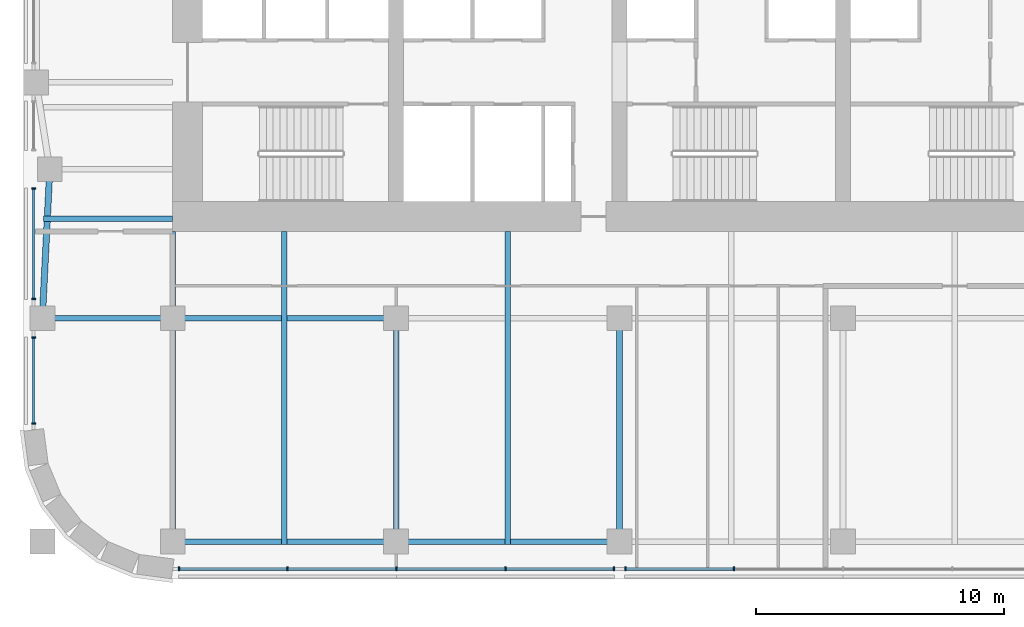
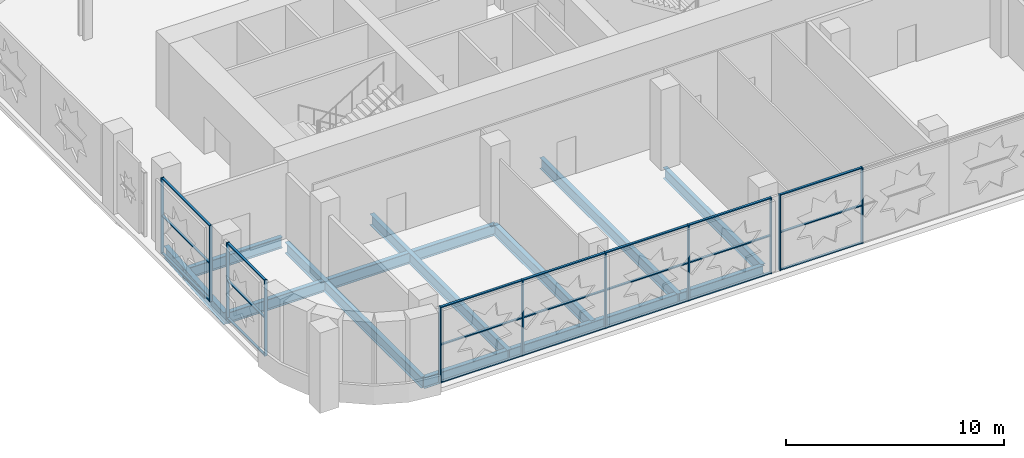
# One storey, part 2 of 21: 32 members, 9 beams, 4 elements without a shape of their own.
"""IFC4 building model written with IfcOpenShell, lengths in metres."""

from ifc_helpers import new_model, si_unit, direction, frame, origin, origin_2d, place, context, subcontext, project, spatial, rectangle, i_section, extrude, material, material_profile, profile_set, type_object, element, aggregate, save


model = new_model("IFC4")

# Units and contexts
model_context = context("Model", 3, precision=1e-05, world=origin(), true_north=direction((0.0, 1.0)))
body_context = subcontext(model_context, "Body", "Model", "MODEL_VIEW")
ifc_project = project(units=[si_unit("LENGTHUNIT", "METRE"), si_unit("AREAUNIT", "SQUARE_METRE"), si_unit("VOLUMEUNIT", "CUBIC_METRE"), si_unit("PLANEANGLEUNIT", "RADIAN"), si_unit("MASSUNIT", "GRAM", prefix="KILO")], contexts=[model_context])

# Site, building, storey
site_placement = place(None, origin())
site = spatial("IfcSite", under=ifc_project, at=site_placement, CompositionType="ELEMENT")
building_placement = place(site_placement, origin())
building = spatial("IfcBuilding", under=site, at=building_placement, Name="Zellij Exchange Tower", CompositionType="ELEMENT")
storey_placement = place(building_placement, frame((0.0, 0.0, 43.5)))
storey = spatial("IfcBuildingStorey", under=building, at=storey_placement, Name="L07", CompositionType="ELEMENT", Elevation=43.5)

# Curtain wall, members
ifc_material_1 = material(Name="Aluminium frame, clear insulating glass", Category="aluminium")
curtain_wall_type = type_object("IfcCurtainWallType", Name="ENV-CW1 Sky-garden glazing", PredefinedType="NOTDEFINED", material=ifc_material_1)
curtain_wall_1_placement = place(storey_placement, origin())
curtain_wall_1 = element("IfcCurtainWall", 1, at=curtain_wall_1_placement, inside=storey, type_object=curtain_wall_type, Name="cw.L07.00a", PredefinedType="NOTDEFINED")
ifc_material_2 = material(Name="Aluminium", Category="aluminium")
ifc_material_profile_1 = material_profile(ifc_material_2, rectangle(XDim=0.06005859375, YDim=0.159912109375, at=origin_2d()), Name="AL 60x160")
ifc_profile_set_1 = profile_set([ifc_material_profile_1], Name="Aluminium")
member_type_1 = type_object("IfcMemberType", Name="ENV-CW1M Mullion 60x160", PredefinedType="MULLION", material=ifc_profile_set_1)
member_1_placement = place(storey_placement, frame((-26.743896484375, -27.60009765625, 0.0), z_axis=(0.0, 0.0, 1.0), x_axis=(1.0, 0.0, 0.0)))
member_1 = element("IfcMember", 2, at=member_1_placement, type_object=member_type_1, Name="CW1 mullion 1", PredefinedType="MULLION", context=body_context, shape_type="SweptSolid", body=[
    extrude(rectangle(XDim=0.06005859375, YDim=0.159912109375, at=origin_2d()), origin(), (0.0, 0.0, 1.0), 4.25),
])
member_2_placement = place(storey_placement, frame((-22.38037109375, -27.60009765625, 0.0), z_axis=(0.0, 0.0, 1.0), x_axis=(1.0, 0.0, 0.0)))
member_2 = element("IfcMember", 3, at=member_2_placement, type_object=member_type_1, Name="CW1 mullion 2", PredefinedType="MULLION", context=body_context, shape_type="SweptSolid", body=[
    extrude(rectangle(XDim=0.06005859375, YDim=0.159912109375, at=origin_2d()), origin(), (0.0, 0.0, 1.0), 4.25),
])
member_3_placement = place(storey_placement, frame((-17.98681640625, -27.60009765625, 0.0), z_axis=(0.0, 0.0, 1.0), x_axis=(1.0, 0.0, 0.0)))
member_3 = element("IfcMember", 4, at=member_3_placement, type_object=member_type_1, Name="CW1 mullion 3", PredefinedType="MULLION", context=body_context, shape_type="SweptSolid", body=[
    extrude(rectangle(XDim=0.06005859375, YDim=0.159912109375, at=origin_2d()), origin(), (0.0, 0.0, 1.0), 4.25),
])
member_4_placement = place(storey_placement, frame((-13.593505859375, -27.60009765625, 0.0), z_axis=(0.0, 0.0, 1.0), x_axis=(1.0, 0.0, 0.0)))
member_4 = element("IfcMember", 5, at=member_4_placement, type_object=member_type_1, Name="CW1 mullion 4", PredefinedType="MULLION", context=body_context, shape_type="SweptSolid", body=[
    extrude(rectangle(XDim=0.06005859375, YDim=0.159912109375, at=origin_2d()), origin(), (0.0, 0.0, 1.0), 4.25),
])
member_5_placement = place(storey_placement, frame((-9.22998046875, -27.60009765625, 0.0), z_axis=(0.0, 0.0, 1.0), x_axis=(1.0, 0.0, 0.0)))
member_5 = element("IfcMember", 6, at=member_5_placement, type_object=member_type_1, Name="CW1 mullion 5", PredefinedType="MULLION", context=body_context, shape_type="SweptSolid", body=[
    extrude(rectangle(XDim=0.06005859375, YDim=0.159912109375, at=origin_2d()), origin(), (0.0, 0.0, 1.0), 4.25),
])

curtain_wall_2_placement = place(storey_placement, origin())
curtain_wall_2 = element("IfcCurtainWall", 7, at=curtain_wall_2_placement, inside=storey, type_object=curtain_wall_type, Name="cw.L07.00b", PredefinedType="NOTDEFINED")
member_6_placement = place(storey_placement, frame((-8.77001953125, -27.60009765625, 0.0), z_axis=(0.0, 0.0, 1.0), x_axis=(1.0, 0.0, 0.0)))
member_6 = element("IfcMember", 8, at=member_6_placement, type_object=member_type_1, Name="CW1 mullion 1", PredefinedType="MULLION", context=body_context, shape_type="SweptSolid", body=[
    extrude(rectangle(XDim=0.06005859375, YDim=0.159912109375, at=origin_2d()), origin(), (0.0, 0.0, 1.0), 4.25),
])
member_7_placement = place(storey_placement, frame((-4.39990234375, -27.60009765625, 0.0), z_axis=(0.0, 0.0, 1.0), x_axis=(1.0, 0.0, 0.0)))
member_7 = element("IfcMember", 9, at=member_7_placement, type_object=member_type_1, Name="CW1 mullion 2", PredefinedType="MULLION", context=body_context, shape_type="SweptSolid", body=[
    extrude(rectangle(XDim=0.06005859375, YDim=0.159912109375, at=origin_2d()), origin(), (0.0, 0.0, 1.0), 4.25),
])

curtain_wall_3_placement = place(storey_placement, origin())
curtain_wall_3 = element("IfcCurtainWall", 10, at=curtain_wall_3_placement, inside=storey, type_object=curtain_wall_type, Name="cw.L07.21c", PredefinedType="NOTDEFINED")
member_8_placement = place(storey_placement, frame((-32.60009765625, -12.280029296875, 0.0), z_axis=(0.0, 0.0, 1.0), x_axis=(0.0, -1.0, 0.0)))
member_8 = element("IfcMember", 11, at=member_8_placement, type_object=member_type_1, Name="CW1 mullion 1", PredefinedType="MULLION", context=body_context, shape_type="SweptSolid", body=[
    extrude(rectangle(XDim=0.06005859375, YDim=0.159912109375, at=origin_2d()), origin(), (0.0, 0.0, 1.0), 4.25),
])
member_9_placement = place(storey_placement, frame((-32.60009765625, -16.719970703125, 0.0), z_axis=(0.0, 0.0, 1.0), x_axis=(0.0, -1.0, 0.0)))
member_9 = element("IfcMember", 12, at=member_9_placement, type_object=member_type_1, Name="CW1 mullion 2", PredefinedType="MULLION", context=body_context, shape_type="SweptSolid", body=[
    extrude(rectangle(XDim=0.06005859375, YDim=0.159912109375, at=origin_2d()), origin(), (0.0, 0.0, 1.0), 4.25),
])

curtain_wall_4_placement = place(storey_placement, origin())
curtain_wall_4 = element("IfcCurtainWall", 13, at=curtain_wall_4_placement, inside=storey, type_object=curtain_wall_type, Name="cw.L07.21d", PredefinedType="NOTDEFINED")
member_10_placement = place(storey_placement, frame((-32.60009765625, -18.280029296875, 0.0), z_axis=(0.0, 0.0, 1.0), x_axis=(0.0, -1.0, 0.0)))
member_10 = element("IfcMember", 14, at=member_10_placement, type_object=member_type_1, Name="CW1 mullion 1", PredefinedType="MULLION", context=body_context, shape_type="SweptSolid", body=[
    extrude(rectangle(XDim=0.06005859375, YDim=0.159912109375, at=origin_2d()), origin(), (0.0, 0.0, 1.0), 4.25),
])
member_11_placement = place(storey_placement, frame((-32.60009765625, -21.743896484375, 0.0), z_axis=(0.0, 0.0, 1.0), x_axis=(0.0, -1.0, 0.0)))
member_11 = element("IfcMember", 15, at=member_11_placement, type_object=member_type_1, Name="CW1 mullion 2", PredefinedType="MULLION", context=body_context, shape_type="SweptSolid", body=[
    extrude(rectangle(XDim=0.06005859375, YDim=0.159912109375, at=origin_2d()), origin(), (0.0, 0.0, 1.0), 4.25),
])

# Member
ifc_material_profile_2 = material_profile(ifc_material_2, rectangle(XDim=0.1201171875, YDim=0.06005859375, at=origin_2d()), Name="AL 120x60")
ifc_profile_set_2 = profile_set([ifc_material_profile_2], Name="Aluminium")
member_type_2 = type_object("IfcMemberType", Name="ENV-CW1T Transom 120x60", PredefinedType="USERDEFINED", material=ifc_profile_set_2)
member_12_placement = place(storey_placement, frame((-26.7138671875, -27.60009765625, 0.030029296875), z_axis=(1.0, 0.0, 0.0), x_axis=(0.0, 1.0, 0.0)))
member_12 = element("IfcMember", 16, at=member_12_placement, type_object=member_type_2, Name="CW1 transom 1.1", ObjectType="TRANSOM", PredefinedType="USERDEFINED", context=body_context, shape_type="SweptSolid", body=[
    extrude(rectangle(XDim=0.1201171875, YDim=0.06005859375, at=origin_2d()), origin(), (0.0, 0.0, 1.0), 4.303466796875),
])

member_13_placement = place(storey_placement, frame((-26.7138671875, -27.60009765625, 2.125), z_axis=(1.0, 0.0, 0.0), x_axis=(0.0, 1.0, 0.0)))
member_13 = element("IfcMember", 17, at=member_13_placement, type_object=member_type_2, Name="CW1 transom 1.2", ObjectType="TRANSOM", PredefinedType="USERDEFINED", context=body_context, shape_type="SweptSolid", body=[
    extrude(rectangle(XDim=0.1201171875, YDim=0.06005859375, at=origin_2d()), origin(), (0.0, 0.0, 1.0), 4.303466796875),
])

member_14_placement = place(storey_placement, frame((-26.7138671875, -27.60009765625, 4.219970703125), z_axis=(1.0, 0.0, 0.0), x_axis=(0.0, 1.0, 0.0)))
member_14 = element("IfcMember", 18, at=member_14_placement, type_object=member_type_2, Name="CW1 transom 1.3", ObjectType="TRANSOM", PredefinedType="USERDEFINED", context=body_context, shape_type="SweptSolid", body=[
    extrude(rectangle(XDim=0.1201171875, YDim=0.06005859375, at=origin_2d()), origin(), (0.0, 0.0, 1.0), 4.303466796875),
])

member_15_placement = place(storey_placement, frame((-22.350341796875, -27.60009765625, 0.030029296875), z_axis=(1.0, 0.0, 0.0), x_axis=(0.0, 1.0, 0.0)))
member_15 = element("IfcMember", 19, at=member_15_placement, type_object=member_type_2, Name="CW1 transom 2.1", ObjectType="TRANSOM", PredefinedType="USERDEFINED", context=body_context, shape_type="SweptSolid", body=[
    extrude(rectangle(XDim=0.1201171875, YDim=0.06005859375, at=origin_2d()), origin(), (0.0, 0.0, 1.0), 4.33349609375),
])

member_16_placement = place(storey_placement, frame((-22.350341796875, -27.60009765625, 2.125), z_axis=(1.0, 0.0, 0.0), x_axis=(0.0, 1.0, 0.0)))
member_16 = element("IfcMember", 20, at=member_16_placement, type_object=member_type_2, Name="CW1 transom 2.2", ObjectType="TRANSOM", PredefinedType="USERDEFINED", context=body_context, shape_type="SweptSolid", body=[
    extrude(rectangle(XDim=0.1201171875, YDim=0.06005859375, at=origin_2d()), origin(), (0.0, 0.0, 1.0), 4.33349609375),
])

member_17_placement = place(storey_placement, frame((-22.350341796875, -27.60009765625, 4.219970703125), z_axis=(1.0, 0.0, 0.0), x_axis=(0.0, 1.0, 0.0)))
member_17 = element("IfcMember", 21, at=member_17_placement, type_object=member_type_2, Name="CW1 transom 2.3", ObjectType="TRANSOM", PredefinedType="USERDEFINED", context=body_context, shape_type="SweptSolid", body=[
    extrude(rectangle(XDim=0.1201171875, YDim=0.06005859375, at=origin_2d()), origin(), (0.0, 0.0, 1.0), 4.33349609375),
])

member_18_placement = place(storey_placement, frame((-17.956787109375, -27.60009765625, 0.030029296875), z_axis=(1.0, 0.0, 0.0), x_axis=(0.0, 1.0, 0.0)))
member_18 = element("IfcMember", 22, at=member_18_placement, type_object=member_type_2, Name="CW1 transom 3.1", ObjectType="TRANSOM", PredefinedType="USERDEFINED", context=body_context, shape_type="SweptSolid", body=[
    extrude(rectangle(XDim=0.1201171875, YDim=0.06005859375, at=origin_2d()), origin(), (0.0, 0.0, 1.0), 4.333251953125),
])

member_19_placement = place(storey_placement, frame((-17.956787109375, -27.60009765625, 2.125), z_axis=(1.0, 0.0, 0.0), x_axis=(0.0, 1.0, 0.0)))
member_19 = element("IfcMember", 23, at=member_19_placement, type_object=member_type_2, Name="CW1 transom 3.2", ObjectType="TRANSOM", PredefinedType="USERDEFINED", context=body_context, shape_type="SweptSolid", body=[
    extrude(rectangle(XDim=0.1201171875, YDim=0.06005859375, at=origin_2d()), origin(), (0.0, 0.0, 1.0), 4.333251953125),
])

member_20_placement = place(storey_placement, frame((-17.956787109375, -27.60009765625, 4.219970703125), z_axis=(1.0, 0.0, 0.0), x_axis=(0.0, 1.0, 0.0)))
member_20 = element("IfcMember", 24, at=member_20_placement, type_object=member_type_2, Name="CW1 transom 3.3", ObjectType="TRANSOM", PredefinedType="USERDEFINED", context=body_context, shape_type="SweptSolid", body=[
    extrude(rectangle(XDim=0.1201171875, YDim=0.06005859375, at=origin_2d()), origin(), (0.0, 0.0, 1.0), 4.333251953125),
])

member_21_placement = place(storey_placement, frame((-13.5634765625, -27.60009765625, 0.030029296875), z_axis=(1.0, 0.0, 0.0), x_axis=(0.0, 1.0, 0.0)))
member_21 = element("IfcMember", 25, at=member_21_placement, type_object=member_type_2, Name="CW1 transom 4.1", ObjectType="TRANSOM", PredefinedType="USERDEFINED", context=body_context, shape_type="SweptSolid", body=[
    extrude(rectangle(XDim=0.1201171875, YDim=0.06005859375, at=origin_2d()), origin(), (0.0, 0.0, 1.0), 4.303466796875),
])

member_22_placement = place(storey_placement, frame((-13.5634765625, -27.60009765625, 2.125), z_axis=(1.0, 0.0, 0.0), x_axis=(0.0, 1.0, 0.0)))
member_22 = element("IfcMember", 26, at=member_22_placement, type_object=member_type_2, Name="CW1 transom 4.2", ObjectType="TRANSOM", PredefinedType="USERDEFINED", context=body_context, shape_type="SweptSolid", body=[
    extrude(rectangle(XDim=0.1201171875, YDim=0.06005859375, at=origin_2d()), origin(), (0.0, 0.0, 1.0), 4.303466796875),
])

member_23_placement = place(storey_placement, frame((-13.5634765625, -27.60009765625, 4.219970703125), z_axis=(1.0, 0.0, 0.0), x_axis=(0.0, 1.0, 0.0)))
member_23 = element("IfcMember", 27, at=member_23_placement, type_object=member_type_2, Name="CW1 transom 4.3", ObjectType="TRANSOM", PredefinedType="USERDEFINED", context=body_context, shape_type="SweptSolid", body=[
    extrude(rectangle(XDim=0.1201171875, YDim=0.06005859375, at=origin_2d()), origin(), (0.0, 0.0, 1.0), 4.303466796875),
])

aggregate(curtain_wall_1, [member_1, member_2, member_3, member_4, member_5, member_12, member_13, member_14, member_15, member_16, member_17, member_18, member_19, member_20, member_21, member_22, member_23])

member_24_placement = place(storey_placement, frame((-8.739990234375, -27.60009765625, 0.030029296875), z_axis=(1.0, 0.0, 0.0), x_axis=(0.0, 1.0, 0.0)))
member_24 = element("IfcMember", 28, at=member_24_placement, type_object=member_type_2, Name="CW1 transom 1.1", ObjectType="TRANSOM", PredefinedType="USERDEFINED", context=body_context, shape_type="SweptSolid", body=[
    extrude(rectangle(XDim=0.1201171875, YDim=0.06005859375, at=origin_2d()), origin(), (0.0, 0.0, 1.0), 4.31005859375),
])

member_25_placement = place(storey_placement, frame((-8.739990234375, -27.60009765625, 2.125), z_axis=(1.0, 0.0, 0.0), x_axis=(0.0, 1.0, 0.0)))
member_25 = element("IfcMember", 29, at=member_25_placement, type_object=member_type_2, Name="CW1 transom 1.2", ObjectType="TRANSOM", PredefinedType="USERDEFINED", context=body_context, shape_type="SweptSolid", body=[
    extrude(rectangle(XDim=0.1201171875, YDim=0.06005859375, at=origin_2d()), origin(), (0.0, 0.0, 1.0), 4.31005859375),
])

member_26_placement = place(storey_placement, frame((-8.739990234375, -27.60009765625, 4.219970703125), z_axis=(1.0, 0.0, 0.0), x_axis=(0.0, 1.0, 0.0)))
member_26 = element("IfcMember", 30, at=member_26_placement, type_object=member_type_2, Name="CW1 transom 1.3", ObjectType="TRANSOM", PredefinedType="USERDEFINED", context=body_context, shape_type="SweptSolid", body=[
    extrude(rectangle(XDim=0.1201171875, YDim=0.06005859375, at=origin_2d()), origin(), (0.0, 0.0, 1.0), 4.31005859375),
])

aggregate(curtain_wall_2, [member_6, member_7, member_24, member_25, member_26])

member_27_placement = place(storey_placement, frame((-32.60009765625, -12.31005859375, 0.030029296875), z_axis=(0.0, -1.0, 0.0), x_axis=(1.0, 0.0, 0.0)))
member_27 = element("IfcMember", 31, at=member_27_placement, type_object=member_type_2, Name="CW1 transom 1.1", ObjectType="TRANSOM", PredefinedType="USERDEFINED", context=body_context, shape_type="SweptSolid", body=[
    extrude(rectangle(XDim=0.1201171875, YDim=0.06005859375, at=origin_2d()), origin(), (0.0, 0.0, 1.0), 4.3798828125),
])

member_28_placement = place(storey_placement, frame((-32.60009765625, -12.31005859375, 2.125), z_axis=(0.0, -1.0, 0.0), x_axis=(1.0, 0.0, 0.0)))
member_28 = element("IfcMember", 32, at=member_28_placement, type_object=member_type_2, Name="CW1 transom 1.2", ObjectType="TRANSOM", PredefinedType="USERDEFINED", context=body_context, shape_type="SweptSolid", body=[
    extrude(rectangle(XDim=0.1201171875, YDim=0.06005859375, at=origin_2d()), origin(), (0.0, 0.0, 1.0), 4.3798828125),
])

member_29_placement = place(storey_placement, frame((-32.60009765625, -12.31005859375, 4.219970703125), z_axis=(0.0, -1.0, 0.0), x_axis=(1.0, 0.0, 0.0)))
member_29 = element("IfcMember", 33, at=member_29_placement, type_object=member_type_2, Name="CW1 transom 1.3", ObjectType="TRANSOM", PredefinedType="USERDEFINED", context=body_context, shape_type="SweptSolid", body=[
    extrude(rectangle(XDim=0.1201171875, YDim=0.06005859375, at=origin_2d()), origin(), (0.0, 0.0, 1.0), 4.3798828125),
])

aggregate(curtain_wall_3, [member_8, member_9, member_27, member_28, member_29])

member_30_placement = place(storey_placement, frame((-32.60009765625, -18.31005859375, 0.030029296875), z_axis=(0.0, -1.0, 0.0), x_axis=(1.0, 0.0, 0.0)))
member_30 = element("IfcMember", 34, at=member_30_placement, type_object=member_type_2, Name="CW1 transom 1.1", ObjectType="TRANSOM", PredefinedType="USERDEFINED", context=body_context, shape_type="SweptSolid", body=[
    extrude(rectangle(XDim=0.1201171875, YDim=0.06005859375, at=origin_2d()), origin(), (0.0, 0.0, 1.0), 3.40380859375),
])

member_31_placement = place(storey_placement, frame((-32.60009765625, -18.31005859375, 2.125), z_axis=(0.0, -1.0, 0.0), x_axis=(1.0, 0.0, 0.0)))
member_31 = element("IfcMember", 35, at=member_31_placement, type_object=member_type_2, Name="CW1 transom 1.2", ObjectType="TRANSOM", PredefinedType="USERDEFINED", context=body_context, shape_type="SweptSolid", body=[
    extrude(rectangle(XDim=0.1201171875, YDim=0.06005859375, at=origin_2d()), origin(), (0.0, 0.0, 1.0), 3.40380859375),
])

member_32_placement = place(storey_placement, frame((-32.60009765625, -18.31005859375, 4.219970703125), z_axis=(0.0, -1.0, 0.0), x_axis=(1.0, 0.0, 0.0)))
member_32 = element("IfcMember", 36, at=member_32_placement, type_object=member_type_2, Name="CW1 transom 1.3", ObjectType="TRANSOM", PredefinedType="USERDEFINED", context=body_context, shape_type="SweptSolid", body=[
    extrude(rectangle(XDim=0.1201171875, YDim=0.06005859375, at=origin_2d()), origin(), (0.0, 0.0, 1.0), 3.40380859375),
])

aggregate(curtain_wall_4, [member_10, member_11, member_30, member_31, member_32])

# Beams
ifc_material_3 = material(Name="Structural steel ASTM A992 Gr 50", Category="steel")
ifc_material_profile_3 = material_profile(ifc_material_3, i_section(OverallWidth=0.22900390625, OverallDepth=0.612060546875, WebThickness=0.011962890625, FlangeThickness=0.01953125, at=origin_2d()), Name="W24x84")
ifc_profile_set_3 = profile_set([ifc_material_profile_3], Name="Structural steel ASTM A992 Gr 50")
beam_type_1 = type_object("IfcBeamType", Name="STR-BEAM W24x84", PredefinedType="BEAM", material=ifc_profile_set_3)
for number, where, z_axis, x_axis, name in (
    (37, (-22.5, -26.614501953125, -0.55615234375), (0.0, 1.0, 0.0), (-1.0, 0.0, 0.0), "B6"),
    (38, (-13.5, -26.614501953125, -0.55615234375), (0.0, 1.0, 0.0), (-1.0, 0.0, 0.0), "B6"),
):
    element("IfcBeam", number, at=place(storey_placement, frame(where, z_axis=z_axis, x_axis=x_axis)), inside=storey, type_object=beam_type_1, Name=name, PredefinedType="BEAM", context=body_context, shape_type="SweptSolid", body=[
        extrude(i_section(OverallWidth=0.22900390625, OverallDepth=0.612060546875, WebThickness=0.011962890625, FlangeThickness=0.01953125, at=origin_2d()), origin(), (0.0, 0.0, 1.0), 12.614501953125),
    ])
beam_1_placement = place(storey_placement, frame((-32.199951171875, -13.5, -0.55615234375), z_axis=(1.0, 0.0, 0.0), x_axis=(0.0, 1.0, 0.0)))
element("IfcBeam", 39, at=beam_1_placement, inside=storey, type_object=beam_type_1, Name="B6", PredefinedType="BEAM", context=body_context, shape_type="SweptSolid", body=[
    extrude(i_section(OverallWidth=0.22900390625, OverallDepth=0.612060546875, WebThickness=0.011962890625, FlangeThickness=0.01953125, at=origin_2d()), origin(), (0.0, 0.0, 1.0), 5.199951171875),
])
ifc_material_profile_4 = material_profile(ifc_material_3, i_section(OverallWidth=0.25390625, OverallDepth=0.67822265625, WebThickness=0.01171875, FlangeThickness=0.016357421875, at=origin_2d()), Name="W27x84")
ifc_profile_set_4 = profile_set([ifc_material_profile_4], Name="Structural steel ASTM A992 Gr 50")
beam_type_2 = type_object("IfcBeamType", Name="STR-EDGE GIRDER W27x84", PredefinedType="BEAM", material=ifc_profile_set_4)
beam_2_placement = place(storey_placement, frame((-32.25, -17.5, -0.589111328125), z_axis=(0.049945724537, 0.998751933465, 0.0), x_axis=(-0.998751933465, 0.049945724537, 0.0)))
element("IfcBeam", 40, at=beam_2_placement, inside=storey, type_object=beam_type_2, Name="EB7", PredefinedType="BEAM", context=body_context, shape_type="SweptSolid", body=[
    extrude(i_section(OverallWidth=0.25390625, OverallDepth=0.67822265625, WebThickness=0.01171875, FlangeThickness=0.016357421875, at=origin_2d()), origin(), (0.0, 0.0, 1.0), 6.007568359375),
])
ifc_material_profile_5 = material_profile(ifc_material_3, i_section(OverallWidth=0.22900390625, OverallDepth=0.612060546875, WebThickness=0.011962890625, FlangeThickness=0.01953125, at=origin_2d()), Name="W24x84")
ifc_profile_set_5 = profile_set([ifc_material_profile_5], Name="Structural steel ASTM A992 Gr 50")
beam_type_3 = type_object("IfcBeamType", Name="STR-GIRDER W24x84", PredefinedType="BEAM", material=ifc_profile_set_5)
beam_3_placement = place(storey_placement, frame((-27.0, -26.5, -0.55615234375), z_axis=(1.0, 0.0, 0.0), x_axis=(0.0, 1.0, 0.0)))
element("IfcBeam", 41, at=beam_3_placement, inside=storey, type_object=beam_type_3, Name="G4", PredefinedType="BEAM", context=body_context, shape_type="SweptSolid", body=[
    extrude(i_section(OverallWidth=0.22900390625, OverallDepth=0.612060546875, WebThickness=0.011962890625, FlangeThickness=0.01953125, at=origin_2d()), origin(), (0.0, 0.0, 1.0), 18.0),
])
beam_4_placement = place(storey_placement, frame((-32.25, -17.5, -0.55615234375), z_axis=(1.0, 0.0, 0.0), x_axis=(0.0, 1.0, 0.0)))
element("IfcBeam", 42, at=beam_4_placement, inside=storey, type_object=beam_type_3, Name="G4", PredefinedType="BEAM", context=body_context, shape_type="SweptSolid", body=[
    extrude(i_section(OverallWidth=0.22900390625, OverallDepth=0.612060546875, WebThickness=0.011962890625, FlangeThickness=0.01953125, at=origin_2d()), origin(), (0.0, 0.0, 1.0), 14.25),
])
beam_5_placement = place(storey_placement, frame((-27.0, -26.5, -0.55615234375), z_axis=(0.0, 1.0, 0.0), x_axis=(-1.0, 0.0, 0.0)))
element("IfcBeam", 43, at=beam_5_placement, inside=storey, type_object=beam_type_3, Name="G4", PredefinedType="BEAM", context=body_context, shape_type="SweptSolid", body=[
    extrude(i_section(OverallWidth=0.22900390625, OverallDepth=0.612060546875, WebThickness=0.011962890625, FlangeThickness=0.01953125, at=origin_2d()), origin(), (0.0, 0.0, 1.0), 12.5),
])
for number, where, z_axis, x_axis, name in (
    (44, (-18.0, -26.5, -0.55615234375), (0.0, 1.0, 0.0), (-1.0, 0.0, 0.0), "G4"),
    (45, (-9.0, -26.5, -0.55615234375), (0.0, 1.0, 0.0), (-1.0, 0.0, 0.0), "G4"),
):
    element("IfcBeam", number, at=place(storey_placement, frame(where, z_axis=z_axis, x_axis=x_axis)), inside=storey, type_object=beam_type_3, Name=name, PredefinedType="BEAM", context=body_context, shape_type="SweptSolid", body=[
        extrude(i_section(OverallWidth=0.22900390625, OverallDepth=0.612060546875, WebThickness=0.011962890625, FlangeThickness=0.01953125, at=origin_2d()), origin(), (0.0, 0.0, 1.0), 9.0),
    ])

save(model, "model.ifc")
